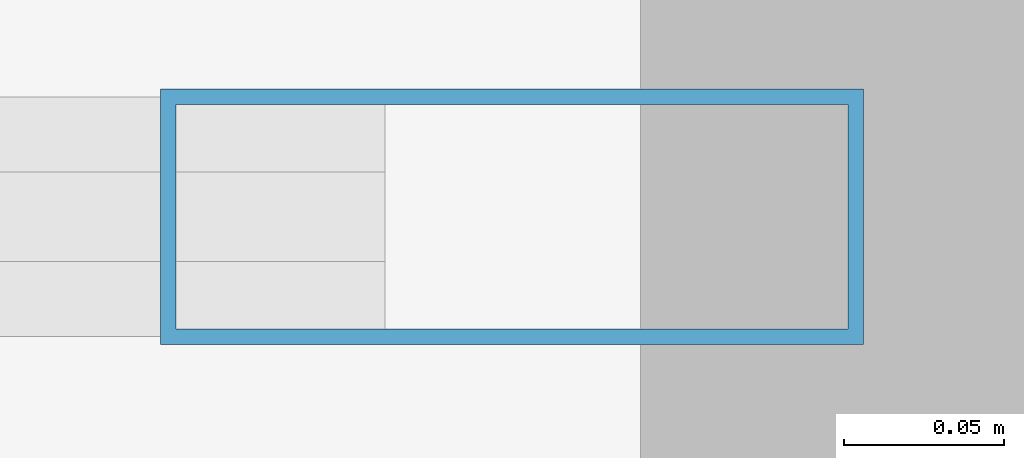
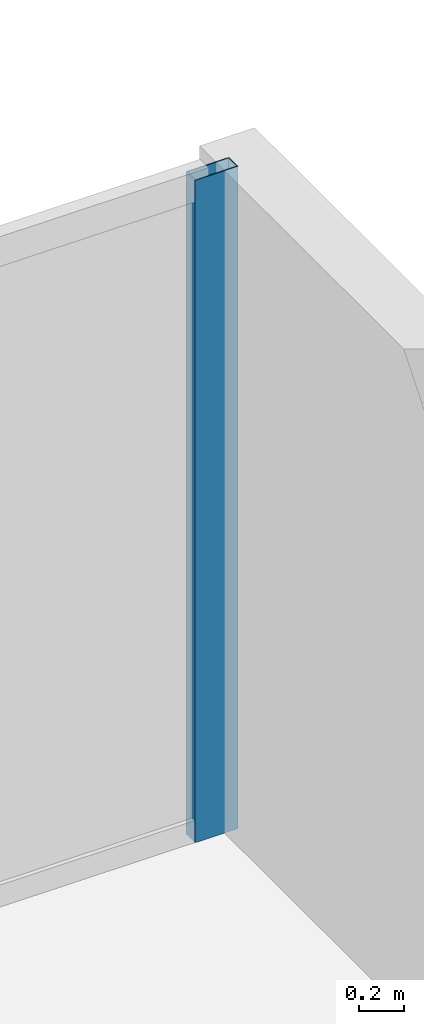
# One storey, part 14 of 23: 1 member, 1 element without a shape of its own.
"""IFC4 building model written with IfcOpenShell, lengths in metres."""

from ifc_helpers import new_model, si_unit, direction, frame, origin, origin_with_axes, origin_2d, place, context, subcontext, project, spatial, hollow_rectangle, extrude, source, transform, mapped, material, layer, layer_set, material_profile, profile_set, type_object, element, aggregate, save


model = new_model("IFC4")

# Units and contexts
model_context = context("Model", 3, precision=1e-05, world=origin(), true_north=direction((0.0, 1.0)))
body_context = subcontext(model_context, "Body", "Model", "MODEL_VIEW")
ifc_project = project(units=[si_unit("LENGTHUNIT", "METRE"), si_unit("AREAUNIT", "SQUARE_METRE"), si_unit("VOLUMEUNIT", "CUBIC_METRE"), si_unit("PLANEANGLEUNIT", "RADIAN"), si_unit("MASSUNIT", "GRAM", prefix="KILO")], contexts=[model_context])

# Site, building, storey
site_placement = place(None, origin())
site = spatial("IfcSite", under=ifc_project, at=site_placement, CompositionType="ELEMENT")
building_placement = place(site_placement, origin())
building = spatial("IfcBuilding", under=site, at=building_placement, Name="Kolvaren Waterfront Exchange", CompositionType="ELEMENT")
storey_placement = place(building_placement, frame((0.0, 0.0, 188.0)))
storey = spatial("IfcBuildingStorey", under=building, at=storey_placement, Name="L48", CompositionType="ELEMENT", Elevation=188.0)

# Curtain wall, member
ifc_material_1 = material(Name="Anodised bronze aluminium 6063-T6", Category="aluminium")
ifc_layer = layer(ifc_material_1, 0.219970703125, Name="Anodised bronze aluminium 6063-T6")
ifc_layer_set = layer_set([ifc_layer], Name="Anodised bronze aluminium 6063-T6")
curtain_wall_type = type_object("IfcCurtainWallType", Name="ARC-CW-SYS1", PredefinedType="USERDEFINED", material=ifc_layer_set)
curtain_wall_placement = place(storey_placement, origin())
curtain_wall = element("IfcCurtainWall", 1, at=curtain_wall_placement, inside=storey, type_object=curtain_wall_type, Name="L48 stick curtain wall CW1 (CW-L48-EN)", ObjectType="STICK CURTAIN WALL", PredefinedType="USERDEFINED")
ifc_material_2 = material(Name="Anodised aluminium 6063-T6", Category="aluminium")
ifc_material_profile = material_profile(ifc_material_2, hollow_rectangle(XDim=0.080078125, YDim=0.219970703125, WallThickness=0.0048828125, at=origin_2d()), Name="ALU-MUL-220x80x5")
ifc_profile_set = profile_set([ifc_material_profile], Name="Anodised aluminium 6063-T6")
member_type = type_object("IfcMemberType", Name="ARC-CWM-220", PredefinedType="MULLION", material=ifc_profile_set)
shared_shape = source(origin_with_axes(), body_context, "Body", "SweptSolid", [
    extrude(hollow_rectangle(XDim=0.080078125, YDim=0.219970703125, WallThickness=0.0048828125, at=origin_2d()), origin(), (0.0, 0.0, 1.0), 3.56005859375),
])
member_placement = place(storey_placement, frame((54.659912109375, 20.9599609375, 0.0), z_axis=(0.0, 0.0, 1.0), x_axis=(0.0, 1.0, 0.0)))
member = element("IfcMember", 2, at=member_placement, type_object=member_type, Name="CW1 mullion 5", PredefinedType="MULLION", context=body_context, shape_type="MappedRepresentation", body=[
    mapped(shared_shape, transform((0.0, 0.0, 0.0), x_axis=(1.0, 0.0, 0.0), y_axis=(0.0, 1.0, 0.0), z_axis=(0.0, 0.0, 1.0), scale=1.0)),
])
aggregate(curtain_wall, [member])

save(model, "model.ifc")
